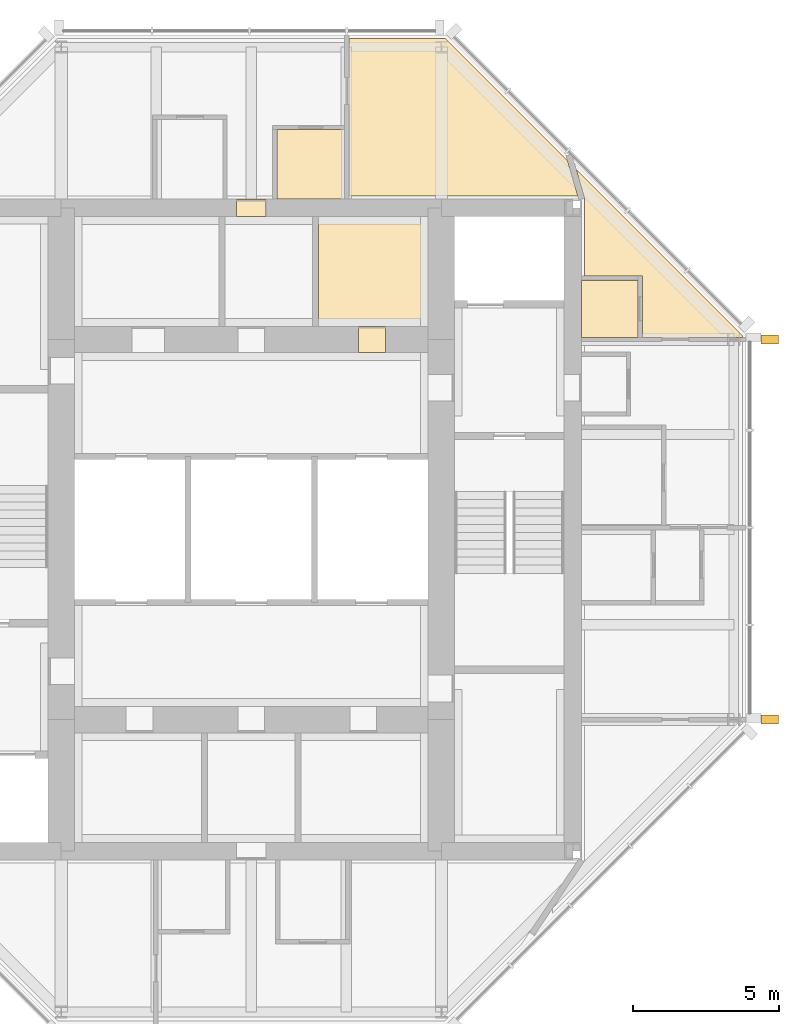
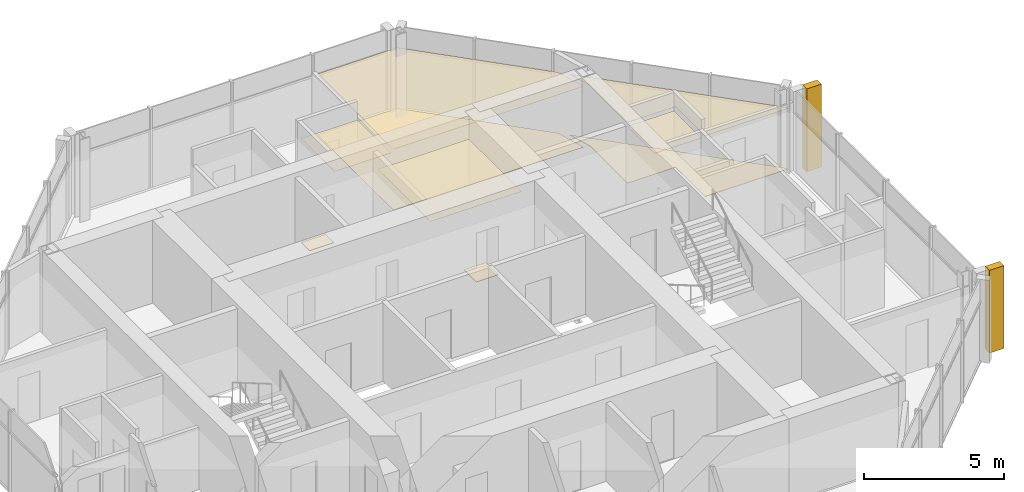
# One storey, part 9 of 9: 11 coverings.
"""IFC4 building model written with IfcOpenShell, lengths in metres."""

from ifc_helpers import new_model, si_unit, direction, frame, origin, origin_2d, place, context, subcontext, project, spatial, polyline, rectangle, outline, extrude, material, layer, layer_set, type_object, element, save


model = new_model("IFC4")

# Units and contexts
model_context = context("Model", 3, precision=1e-05, world=origin(), true_north=direction((0.0, 1.0)))
body_context = subcontext(model_context, "Body", "Model", "MODEL_VIEW")
ifc_project = project(units=[si_unit("LENGTHUNIT", "METRE"), si_unit("AREAUNIT", "SQUARE_METRE"), si_unit("VOLUMEUNIT", "CUBIC_METRE"), si_unit("PLANEANGLEUNIT", "RADIAN"), si_unit("MASSUNIT", "GRAM", prefix="KILO")], contexts=[model_context])

# Site, building, storey
site_placement = place(None, origin())
site = spatial("IfcSite", under=ifc_project, at=site_placement, CompositionType="ELEMENT")
building_placement = place(site_placement, origin())
building = spatial("IfcBuilding", under=site, at=building_placement, Name="Trevanion Tower", CompositionType="ELEMENT")
storey_placement = place(building_placement, frame((0.0, 0.0, 281.199951171875)))
storey = spatial("IfcBuildingStorey", under=building, at=storey_placement, Name="L69", CompositionType="ELEMENT", Elevation=281.199951171875)

# Coverings
ifc_material_1 = material(Name="Gypsum plasterboard on suspended metal furring", Category="gypsum")
ifc_layer_1 = layer(ifc_material_1, 0.012939453125)
ifc_layer_set_1 = layer_set([ifc_layer_1], Name="CL3 plasterboard ceiling 13")
covering_type_1 = type_object("IfcCoveringType", Name="CL3 plasterboard ceiling 13", PredefinedType="CEILING", material=ifc_layer_set_1)
covering_1_placement = place(storey_placement, frame((0.0, 0.0, 2.567138671875)))
element("IfcCovering", 1, at=covering_1_placement, inside=storey, type_object=covering_type_1, Name="CL3 L69-RSN", PredefinedType="CEILING", context=body_context, shape_type="SweptSolid", body=[
    extrude(outline(polyline([(6.050048828125, 6.949951171875), (6.050048828125, 10.699951171875), (2.300048828125, 10.699951171875), (2.300048828125, 6.949951171875), (6.050048828125, 6.949951171875)])), origin(), (0.0, 0.0, 1.0), 0.012939453125),
])
covering_2_placement = place(storey_placement, frame((0.0, 0.0, 2.64111328125)))
element("IfcCovering", 2, at=covering_2_placement, inside=storey, type_object=covering_type_1, Name="CL3 L69-REB2", PredefinedType="CEILING", context=body_context, shape_type="SweptSolid", body=[
    extrude(outline(polyline([(13.375, 6.574951171875), (13.375, 8.675048828125), (11.39990234375, 8.675048828125), (11.39990234375, 11.314208984375), (11.110595703125, 12.313720703125), (16.800048828125, 6.624267578125), (16.800048828125, 6.574951171875), (13.375, 6.574951171875)])), origin(), (0.0, 0.0, 1.0), 0.012939453125),
])
covering_3_placement = place(storey_placement, frame((0.0, 0.0, 2.64111328125)))
element("IfcCovering", 3, at=covering_3_placement, inside=storey, type_object=covering_type_1, Name="CL3 L69-RNB", PredefinedType="CEILING", context=body_context, shape_type="SweptSolid", body=[
    extrude(outline(polyline([(10.817626953125, 12.606689453125), (11.1669921875, 11.39990234375), (3.341064453125, 11.39990234375), (3.341064453125, 16.800048828125), (6.624267578125, 16.800048828125), (10.817626953125, 12.606689453125)])), origin(), (0.0, 0.0, 1.0), 0.012939453125),
])
ifc_material_2 = material(Name="Moisture-resistant gypsum board on suspended metal furring", Category="gypsum")
ifc_layer_2 = layer(ifc_material_2, 0.01611328125)
ifc_layer_set_2 = layer_set([ifc_layer_2], Name="CL4 moisture-resistant board ceiling 16")
covering_type_2 = type_object("IfcCoveringType", Name="CL4 moisture-resistant board ceiling 16", PredefinedType="CEILING", material=ifc_layer_set_2)
covering_4_placement = place(storey_placement, frame((0.0, 0.0, 2.60009765625)))
element("IfcCovering", 4, at=covering_4_placement, inside=storey, type_object=covering_type_2, Name="CL4 L69-REW", PredefinedType="CEILING", context=body_context, shape_type="SweptSolid", body=[
    extrude(outline(polyline([(13.22509765625, 6.574951171875), (13.22509765625, 8.52490234375), (11.300048828125, 8.52490234375), (11.300048828125, 6.574951171875), (13.22509765625, 6.574951171875)])), origin(), (0.0, 0.0, 1.0), 0.015869140625),
])
covering_5_placement = place(storey_placement, frame((0.0, 0.0, 2.60009765625)))
element("IfcCovering", 5, at=covering_5_placement, inside=storey, type_object=covering_type_2, Name="CL4 L69-RNT", PredefinedType="CEILING", context=body_context, shape_type="SweptSolid", body=[
    extrude(outline(polyline([(3.19091796875, 13.675048828125), (0.875, 13.675048828125), (0.875, 11.300048828125), (3.19091796875, 11.300048828125), (3.19091796875, 13.675048828125)])), origin(), (0.0, 0.0, 1.0), 0.015869140625),
])
ifc_material_3 = material(Name="Cast bronze fin on aluminium carrier", Category="aluminium")
covering_type_3 = type_object("IfcCoveringType", Name="F1 bronze fin", PredefinedType="CLADDING", material=ifc_material_3)
for number, where, z_axis, x_axis, name in (
    (6, (17.72509765625, -6.5, -0.18994140625), (0.0, 0.0, 1.0), (0.0, 1.0, 0.0), "F1 L69 east -6.5"),
    (7, (17.72509765625, 6.5, -0.18994140625), (0.0, 0.0, 1.0), (0.0, 1.0, 0.0), "F1 L69 east +6.5"),
):
    element("IfcCovering", number, at=place(storey_placement, frame(where, z_axis=z_axis, x_axis=x_axis)), inside=storey, type_object=covering_type_3, Name=name, PredefinedType="CLADDING", context=body_context, shape_type="SweptSolid", body=[
        extrude(rectangle(XDim=0.300048828125, YDim=0.60009765625, at=origin_2d()), origin(), (0.0, 0.0, 1.0), 3.60009765625),
    ])
ifc_material_4 = material(Name="Terrazzo, brass divider strips", Category="stone")
ifc_layer_3 = layer(ifc_material_4, 0.02001953125)
ifc_layer_set_3 = layer_set([ifc_layer_3], Name="FF1 terrazzo flooring")
covering_type_4 = type_object("IfcCoveringType", Name="FF1 terrazzo flooring", PredefinedType="FLOORING", material=ifc_layer_set_3)
covering_6_placement = place(storey_placement, origin())
element("IfcCovering", 8, at=covering_6_placement, inside=storey, type_object=covering_type_4, Name="FF1 threshold 69-018", PredefinedType="FLOORING", context=body_context, shape_type="SweptSolid", body=[
    extrude(outline(polyline([(0.5, 11.300048828125), (-0.5, 11.300048828125), (-0.5, 10.699951171875), (0.5, 10.699951171875), (0.5, 11.300048828125)])), origin(), (0.0, 0.0, 1.0), 0.02001953125),
])
covering_7_placement = place(storey_placement, origin())
element("IfcCovering", 9, at=covering_7_placement, inside=storey, type_object=covering_type_4, Name="FF1 threshold 69-020", PredefinedType="FLOORING", context=body_context, shape_type="SweptSolid", body=[
    extrude(outline(polyline([(4.58251953125, 6.949951171875), (3.66748046875, 6.949951171875), (3.66748046875, 6.050048828125), (4.58251953125, 6.050048828125), (4.58251953125, 6.949951171875)])), origin(), (0.0, 0.0, 1.0), 0.02001953125),
])
ifc_material_5 = material(Name="Engineered oak", Category="wood")
ifc_layer_4 = layer(ifc_material_5, 0.014892578125)
ifc_layer_set_4 = layer_set([ifc_layer_4], Name="FF3 timber flooring")
covering_type_5 = type_object("IfcCoveringType", Name="FF3 timber flooring", PredefinedType="FLOORING", material=ifc_layer_set_4)
covering_8_placement = place(storey_placement, origin())
element("IfcCovering", 10, at=covering_8_placement, inside=storey, type_object=covering_type_5, Name="FF3 L69-REB2", PredefinedType="FLOORING", context=body_context, shape_type="SweptSolid", body=[
    extrude(outline(polyline([(13.375, 6.574951171875), (13.375, 8.675048828125), (11.39990234375, 8.675048828125), (11.39990234375, 11.314208984375), (11.110595703125, 12.313720703125), (16.800048828125, 6.624267578125), (16.800048828125, 6.574951171875), (13.375, 6.574951171875)])), origin(), (0.0, 0.0, 1.0), 0.01513671875),
])
covering_9_placement = place(storey_placement, origin())
element("IfcCovering", 11, at=covering_9_placement, inside=storey, type_object=covering_type_5, Name="FF3 L69-RNB", PredefinedType="FLOORING", context=body_context, shape_type="SweptSolid", body=[
    extrude(outline(polyline([(10.817626953125, 12.606689453125), (11.1669921875, 11.39990234375), (3.341064453125, 11.39990234375), (3.341064453125, 16.800048828125), (6.624267578125, 16.800048828125), (10.817626953125, 12.606689453125)])), origin(), (0.0, 0.0, 1.0), 0.01513671875),
])

save(model, "model.ifc")
